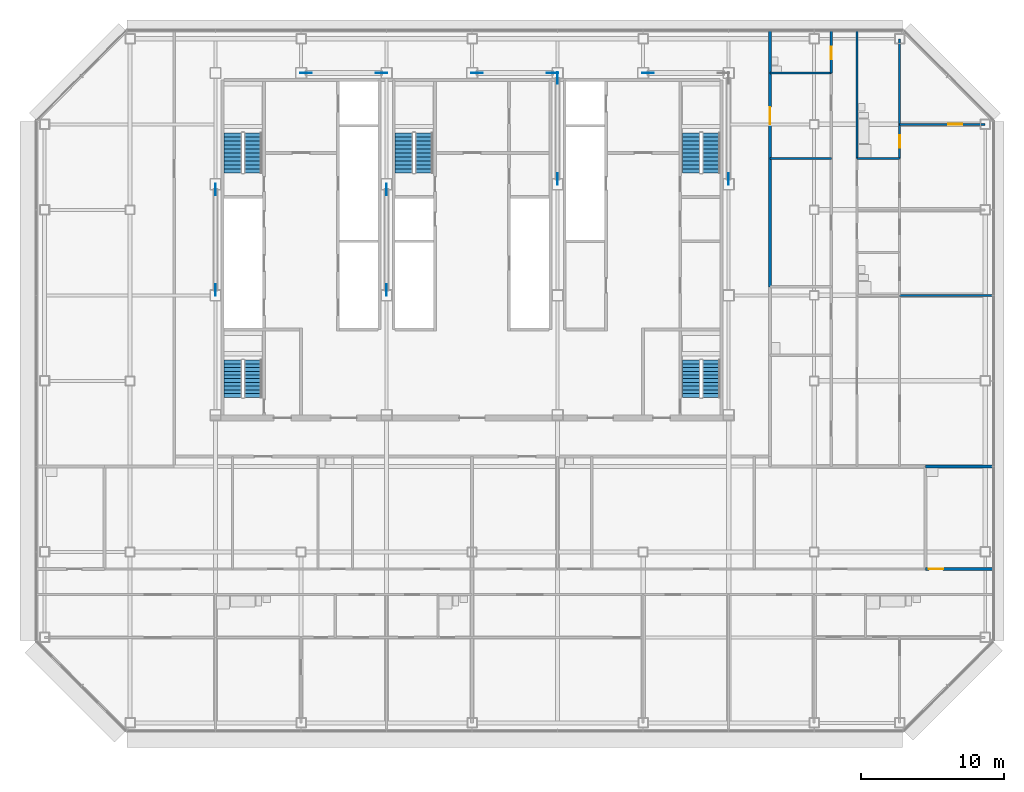
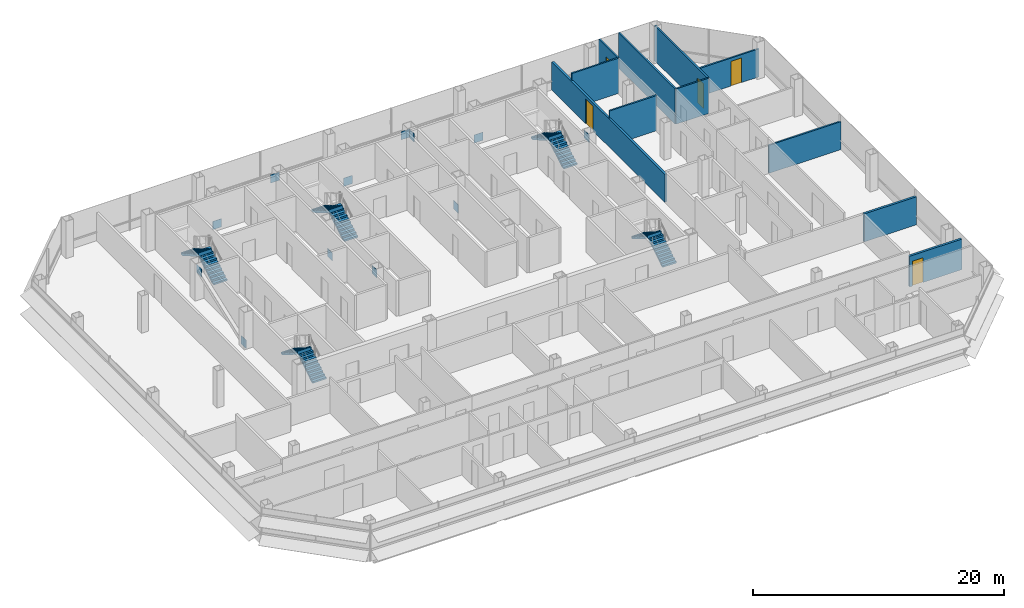
# One storey, part 23 of 26: 12 discrete accessories, 11 walls, 10 stair flights, 5 doors, 5 openings, 5 elements without a shape of their own.
"""IFC4 building model written with IfcOpenShell, lengths in metres."""

from ifc_helpers import new_model, si_unit, direction, frame, frame_2d, origin, origin_2d, place, context, subcontext, project, spatial, polyline, rectangle, outline, extrude, material, layer, layer_set, type_object, element, fill, aggregate, save


model = new_model("IFC4")

# Units and contexts
model_context = context("Model", 3, precision=1e-05, world=origin(), true_north=direction((0.0, 1.0)))
body_context = subcontext(model_context, "Body", "Model", "MODEL_VIEW")
ifc_project = project(units=[si_unit("LENGTHUNIT", "METRE"), si_unit("AREAUNIT", "SQUARE_METRE"), si_unit("VOLUMEUNIT", "CUBIC_METRE"), si_unit("PLANEANGLEUNIT", "RADIAN"), si_unit("MASSUNIT", "GRAM", prefix="KILO")], contexts=[model_context])

# Site, building, storey
site_placement = place(None, origin())
site = spatial("IfcSite", under=ifc_project, at=site_placement, CompositionType="ELEMENT")
building_placement = place(site_placement, origin())
building = spatial("IfcBuilding", under=site, at=building_placement, Name="Sorahane Residences", CompositionType="ELEMENT")
storey_placement = place(building_placement, frame((0.0, 0.0, 151.0)))
storey = spatial("IfcBuildingStorey", under=building, at=storey_placement, Name="L34", CompositionType="ELEMENT", Elevation=151.0)

# Wall, opening, door
ifc_material_1 = material(Name="Concrete blockwork C20 wall", Category="masonry")
ifc_layer_1 = layer(ifc_material_1, 0.199951171875)
ifc_layer_set_1 = layer_set([ifc_layer_1], Name="Corridor wall 200 EI 120")
wall_type_1 = type_object("IfcWallType", Name="Corridor wall 200 EI 120", PredefinedType="SOLIDWALL", material=ifc_layer_set_1)
wall_1_placement = place(storey_placement, frame((44.89990234375, 30.60009765625, 0.0), z_axis=(0.0, 0.0, 1.0), x_axis=(0.0, 1.0, 0.0)))
wall_1 = element("IfcWall", 1, at=wall_1_placement, inside=storey, type_object=wall_type_1, Name="L34 corridor wall", PredefinedType="SOLIDWALL", context=body_context, shape_type="SweptSolid", body=[
    extrude(rectangle(XDim=18.0, YDim=0.199951171875, at=frame_2d((9.0, 0.0))), origin(), (0.0, 0.0, 1.0), 2.719970703125),
])
opening_1_placement = place(wall_1_placement, frame((11.39990234375, 0.0, 0.0)))
opening_1 = element("IfcOpeningElement", 2, at=opening_1_placement, cuts=wall_1, Name="Opening L34-44", PredefinedType="OPENING", context=body_context, shape_type="SweptSolid", body=[
    extrude(rectangle(XDim=1.199951171875, YDim=2.39990234375, at=frame_2d((0.60009765625, 1.199951171875))), frame((0.0, 0.10986328125, 0.0), z_axis=(0.0, -1.0, 0.0), x_axis=(1.0, 0.0, 0.0)), (0.0, 0.0, 1.0), 0.219970703125),
])
ifc_material_2 = material(Name="Timber veneered fire door", Category="wood")
door_type_1 = type_object("IfcDoorType", Name="Flat entrance door 1200x2400 FD60", OperationType="NOTDEFINED", PredefinedType="DOOR", material=ifc_material_2)
door_1_placement = place(opening_1_placement, frame((1.199951171875, 0.0, 0.0), z_axis=(0.0, 0.0, 1.0), x_axis=(-1.0, 0.0, 0.0)))
door_1 = element("IfcDoor", 3, at=door_1_placement, inside=storey, type_object=door_type_1, Name="Flat entrance door L34-44", OperationType="SINGLE_SWING_LEFT", OverallHeight=2.39990234375, OverallWidth=1.199951171875, PredefinedType="DOOR", context=body_context, shape_type="SweptSolid", body=[
    extrude(rectangle(XDim=1.199951171875, YDim=2.39990234375, at=frame_2d((0.60009765625, 1.199951171875))), frame((0.0, 0.02490234375, 0.0), z_axis=(0.0, -1.0, 0.0), x_axis=(1.0, 0.0, 0.0)), (0.0, 0.0, 1.0), 0.050048828125),
])
fill(opening_1, door_1)

ifc_material_3 = material(Name="Concrete blockwork C20 wall", Category="masonry")
ifc_layer_2 = layer(ifc_material_3, 0.199951171875)
ifc_layer_set_2 = layer_set([ifc_layer_2], Name="Kitchen wall 200 EI 180")
wall_type_2 = type_object("IfcWallType", Name="Kitchen wall 200 EI 180", PredefinedType="SOLIDWALL", material=ifc_layer_set_2)
wall_2_placement = place(storey_placement, frame((55.800048828125, 10.800048828125, 0.0), z_axis=(0.0, 0.0, 1.0), x_axis=(1.0, 0.0, 0.0)))
wall_2 = element("IfcWall", 4, at=wall_2_placement, inside=storey, type_object=wall_type_2, Name="L34 kitchen wall", PredefinedType="SOLIDWALL", context=body_context, shape_type="SweptSolid", body=[
    extrude(rectangle(XDim=4.800048828125, YDim=0.199951171875, at=frame_2d((2.39990234375, 0.0))), origin(), (0.0, 0.0, 1.0), 2.969970703125),
])
opening_2_placement = place(wall_2_placement, frame((0.25, 0.0, 0.0)))
opening_2 = element("IfcOpeningElement", 5, at=opening_2_placement, cuts=wall_2, Name="Opening L34-19", PredefinedType="OPENING", context=body_context, shape_type="SweptSolid", body=[
    extrude(rectangle(XDim=1.0, YDim=2.39990234375, at=frame_2d((0.5, 1.199951171875))), frame((0.0, 0.10986328125, 0.0), z_axis=(0.0, -1.0, 0.0), x_axis=(1.0, 0.0, 0.0)), (0.0, 0.0, 1.0), 0.219970703125),
])
ifc_material_4 = material(Name="Steel", Category="steel")
door_type_2 = type_object("IfcDoorType", Name="Kitchen door 1000x2400 FD120", OperationType="NOTDEFINED", PredefinedType="DOOR", material=ifc_material_4)
door_2_placement = place(opening_2_placement, origin())
door_2 = element("IfcDoor", 6, at=door_2_placement, inside=storey, type_object=door_type_2, Name="Kitchen door L34-19", OperationType="SINGLE_SWING_RIGHT", OverallHeight=2.39990234375, OverallWidth=1.0, PredefinedType="DOOR", context=body_context, shape_type="SweptSolid", body=[
    extrude(rectangle(XDim=1.0, YDim=2.39990234375, at=frame_2d((0.5, 1.199951171875))), frame((0.0, 0.02490234375, 0.0), z_axis=(0.0, -1.0, 0.0), x_axis=(1.0, 0.0, 0.0)), (0.0, 0.0, 1.0), 0.050048828125),
])
fill(opening_2, door_2)

# Walls
wall_3_placement = place(storey_placement, frame((55.800048828125, 18.0, 0.0), z_axis=(0.0, 0.0, 1.0), x_axis=(1.0, 0.0, 0.0)))
element("IfcWall", 7, at=wall_3_placement, inside=storey, type_object=wall_type_2, Name="L34 kitchen wall", PredefinedType="SOLIDWALL", context=body_context, shape_type="SweptSolid", body=[
    extrude(rectangle(XDim=4.800048828125, YDim=0.199951171875, at=frame_2d((2.39990234375, 0.0))), origin(), (0.0, 0.0, 1.0), 2.719970703125),
])
ifc_material_5 = material(Name="Gypsum board partition on steel studs", Category="steel")
ifc_layer_3 = layer(ifc_material_5, 0.14990234375)
ifc_layer_set_3 = layer_set([ifc_layer_3], Name="Partition 150 EI 90")
wall_type_3 = type_object("IfcWallType", Name="Partition 150 EI 90", PredefinedType="PARTITIONING", material=ifc_layer_set_3)
wall_4_placement = place(storey_placement, frame((54.0, 30.0, 0.0), z_axis=(0.0, 0.0, 1.0), x_axis=(1.0, 0.0, 0.0)))
element("IfcWall", 8, at=wall_4_placement, inside=storey, type_object=wall_type_3, Name="L34 partition", PredefinedType="PARTITIONING", context=body_context, shape_type="SweptSolid", body=[
    extrude(rectangle(XDim=6.60009765625, YDim=0.14990234375, at=frame_2d((3.300048828125, 0.0))), origin(), (0.0, 0.0, 1.0), 2.719970703125),
])
wall_5_placement = place(storey_placement, frame((44.89990234375, 39.60009765625, 0.0), z_axis=(0.0, 0.0, 1.0), x_axis=(1.0, 0.0, 0.0)))
element("IfcWall", 9, at=wall_5_placement, inside=storey, type_object=wall_type_3, Name="L34 partition", PredefinedType="PARTITIONING", context=body_context, shape_type="SweptSolid", body=[
    extrude(rectangle(XDim=4.300048828125, YDim=0.14990234375, at=frame_2d((2.14990234375, 0.0))), origin(), (0.0, 0.0, 1.0), 3.419921875),
])

# Wall, opening, door
wall_6_placement = place(storey_placement, frame((54.0, 42.0, 0.0), z_axis=(0.0, 0.0, 1.0), x_axis=(1.0, 0.0, 0.0)))
wall_6 = element("IfcWall", 10, at=wall_6_placement, inside=storey, type_object=wall_type_3, Name="L34 partition", PredefinedType="PARTITIONING", context=body_context, shape_type="SweptSolid", body=[
    extrude(rectangle(XDim=6.0, YDim=0.14990234375, at=frame_2d((3.0, 0.0))), origin(), (0.0, 0.0, 1.0), 2.719970703125),
])
opening_3_placement = place(wall_6_placement, frame((3.39990234375, 0.0, 0.0)))
opening_3 = element("IfcOpeningElement", 11, at=opening_3_placement, cuts=wall_6, Name="Opening L34-40", PredefinedType="OPENING", context=body_context, shape_type="SweptSolid", body=[
    extrude(rectangle(XDim=1.0, YDim=2.39990234375, at=frame_2d((0.5, 1.199951171875))), frame((0.0, 0.0849609375, 0.0), z_axis=(0.0, -1.0, 0.0), x_axis=(1.0, 0.0, 0.0)), (0.0, 0.0, 1.0), 0.169921875),
])
ifc_material_6 = material(Name="Timber veneered fire door", Category="wood")
door_type_3 = type_object("IfcDoorType", Name="Room door 1000x2400 FD30", OperationType="NOTDEFINED", PredefinedType="DOOR", material=ifc_material_6)
door_3_placement = place(opening_3_placement, origin())
door_3 = element("IfcDoor", 12, at=door_3_placement, inside=storey, type_object=door_type_3, Name="Room door L34-40", OperationType="SINGLE_SWING_LEFT", OverallHeight=2.39990234375, OverallWidth=1.0, PredefinedType="DOOR", context=body_context, shape_type="SweptSolid", body=[
    extrude(rectangle(XDim=1.0, YDim=2.39990234375, at=frame_2d((0.5, 1.199951171875))), frame((0.0, 0.02490234375, 0.0), z_axis=(0.0, -1.0, 0.0), x_axis=(1.0, 0.0, 0.0)), (0.0, 0.0, 1.0), 0.050048828125),
])
fill(opening_3, door_3)

ifc_material_7 = material(Name="Gypsum board partition on steel studs", Category="steel")
ifc_layer_4 = layer(ifc_material_7, 0.14990234375)
ifc_layer_set_4 = layer_set([ifc_layer_4], Name="Wet wall 150 EI 90")
wall_type_4 = type_object("IfcWallType", Name="Wet wall 150 EI 90", PredefinedType="PARTITIONING", material=ifc_layer_set_4)
wall_7_placement = place(storey_placement, frame((49.199951171875, 45.60009765625, 0.0), z_axis=(0.0, 0.0, 1.0), x_axis=(0.0, 1.0, 0.0)))
wall_7 = element("IfcWall", 13, at=wall_7_placement, inside=storey, type_object=wall_type_4, Name="L34 wet wall", PredefinedType="PARTITIONING", context=body_context, shape_type="SweptSolid", body=[
    extrude(rectangle(XDim=3.0, YDim=0.14990234375, at=frame_2d((1.5, 0.0))), origin(), (0.0, 0.0, 1.0), 3.419921875),
])
opening_4_placement = place(wall_7_placement, frame((0.949951171875, 0.0, 0.0)))
opening_4 = element("IfcOpeningElement", 14, at=opening_4_placement, cuts=wall_7, Name="Opening L34-32", PredefinedType="OPENING", context=body_context, shape_type="SweptSolid", body=[
    extrude(rectangle(XDim=0.89990234375, YDim=2.39990234375, at=frame_2d((0.449951171875, 1.199951171875))), frame((0.0, 0.0849609375, 0.0), z_axis=(0.0, -1.0, 0.0), x_axis=(1.0, 0.0, 0.0)), (0.0, 0.0, 1.0), 0.169921875),
])
ifc_material_8 = material(Name="Timber veneered fire door", Category="wood")
door_type_4 = type_object("IfcDoorType", Name="Bathroom door 900x2400 FD30", OperationType="NOTDEFINED", PredefinedType="DOOR", material=ifc_material_8)
door_4_placement = place(opening_4_placement, frame((0.89990234375, 0.0, 0.0), z_axis=(0.0, 0.0, 1.0), x_axis=(-1.0, 0.0, 0.0)))
door_4 = element("IfcDoor", 15, at=door_4_placement, inside=storey, type_object=door_type_4, Name="Bathroom door L34-32", OperationType="SINGLE_SWING_LEFT", OverallHeight=2.39990234375, OverallWidth=0.89990234375, PredefinedType="DOOR", context=body_context, shape_type="SweptSolid", body=[
    extrude(rectangle(XDim=0.89990234375, YDim=2.39990234375, at=frame_2d((0.449951171875, 1.199951171875))), frame((0.0, 0.02490234375, 0.0), z_axis=(0.0, -1.0, 0.0), x_axis=(1.0, 0.0, 0.0)), (0.0, 0.0, 1.0), 0.050048828125),
])
fill(opening_4, door_4)

# Wall
wall_8_placement = place(storey_placement, frame((51.0, 39.60009765625, 0.0), z_axis=(0.0, 0.0, 1.0), x_axis=(0.0, 1.0, 0.0)))
element("IfcWall", 16, at=wall_8_placement, inside=storey, type_object=wall_type_4, Name="L34 wet wall", PredefinedType="PARTITIONING", context=body_context, shape_type="SweptSolid", body=[
    extrude(rectangle(XDim=9.0, YDim=0.14990234375, at=frame_2d((4.5, 0.0))), origin(), (0.0, 0.0, 1.0), 3.419921875),
])

# Wall, opening, door
wall_9_placement = place(storey_placement, frame((54.0, 39.60009765625, 0.0), z_axis=(0.0, 0.0, 1.0), x_axis=(0.0, 1.0, 0.0)))
wall_9 = element("IfcWall", 17, at=wall_9_placement, inside=storey, type_object=wall_type_4, Name="L34 wet wall", PredefinedType="PARTITIONING", context=body_context, shape_type="SweptSolid", body=[
    extrude(rectangle(XDim=8.39990234375, YDim=0.14990234375, at=frame_2d((4.199951171875, 0.0))), origin(), (0.0, 0.0, 1.0), 3.419921875),
])
opening_5_placement = place(wall_9_placement, frame((0.75, 0.0, 0.0)))
opening_5 = element("IfcOpeningElement", 18, at=opening_5_placement, cuts=wall_9, Name="Opening L34-41", PredefinedType="OPENING", context=body_context, shape_type="SweptSolid", body=[
    extrude(rectangle(XDim=0.89990234375, YDim=2.39990234375, at=frame_2d((0.449951171875, 1.199951171875))), frame((0.0, 0.0849609375, 0.0), z_axis=(0.0, -1.0, 0.0), x_axis=(1.0, 0.0, 0.0)), (0.0, 0.0, 1.0), 0.169921875),
])
door_5_placement = place(opening_5_placement, frame((0.89990234375, 0.0, 0.0), z_axis=(0.0, 0.0, 1.0), x_axis=(-1.0, 0.0, 0.0)))
door_5 = element("IfcDoor", 19, at=door_5_placement, inside=storey, type_object=door_type_4, Name="Bathroom door L34-41", OperationType="SINGLE_SWING_RIGHT", OverallHeight=2.39990234375, OverallWidth=0.89990234375, PredefinedType="DOOR", context=body_context, shape_type="SweptSolid", body=[
    extrude(rectangle(XDim=0.89990234375, YDim=2.39990234375, at=frame_2d((0.449951171875, 1.199951171875))), frame((0.0, 0.02490234375, 0.0), z_axis=(0.0, -1.0, 0.0), x_axis=(1.0, 0.0, 0.0)), (0.0, 0.0, 1.0), 0.050048828125),
])
fill(opening_5, door_5)

# Walls
wall_10_placement = place(storey_placement, frame((51.0, 39.60009765625, 0.0), z_axis=(0.0, 0.0, 1.0), x_axis=(1.0, 0.0, 0.0)))
element("IfcWall", 20, at=wall_10_placement, inside=storey, type_object=wall_type_4, Name="L34 wet wall", PredefinedType="PARTITIONING", context=body_context, shape_type="SweptSolid", body=[
    extrude(rectangle(XDim=3.0, YDim=0.14990234375, at=frame_2d((1.5, 0.0))), origin(), (0.0, 0.0, 1.0), 3.419921875),
])
wall_11_placement = place(storey_placement, frame((44.89990234375, 45.60009765625, 0.0), z_axis=(0.0, 0.0, 1.0), x_axis=(1.0, 0.0, 0.0)))
element("IfcWall", 21, at=wall_11_placement, inside=storey, type_object=wall_type_4, Name="L34 wet wall", PredefinedType="PARTITIONING", context=body_context, shape_type="SweptSolid", body=[
    extrude(rectangle(XDim=4.300048828125, YDim=0.14990234375, at=frame_2d((2.14990234375, 0.0))), origin(), (0.0, 0.0, 1.0), 3.419921875),
])

# Stair, stair flights
ifc_material_9 = material(Name="Concrete C40", Category="concrete")
stair_type = type_object("IfcStairType", Name="Dog-leg stair 1250 Concrete C40", PredefinedType="HALF_TURN_STAIR", material=ifc_material_9)
stair_1_placement = place(storey_placement, origin())
stair_1 = element("IfcStair", 22, at=stair_1_placement, inside=storey, type_object=stair_type, Name="L34 Stair S1", PredefinedType="HALF_TURN_STAIR")
ifc_material_10 = material(Name="Concrete C40", Category="concrete")
stair_flight_type = type_object("IfcStairFlightType", Name="Stair flight 1250 Concrete C40", PredefinedType="STRAIGHT", material=ifc_material_10)
stair_flight_1_placement = place(storey_placement, frame((8.625, 38.60009765625, 0.0), z_axis=(0.0, 0.0, 1.0), x_axis=(0.0, 1.0, 0.0)))
stair_flight_1 = element("IfcStairFlight", 23, at=stair_flight_1_placement, type_object=stair_flight_type, Name="S1 flight 1", NumberOfRisers=11, NumberOfTreads=10, PredefinedType="STRAIGHT", RiserHeight=0.163636364, TreadLength=0.28, context=body_context, shape_type="SweptSolid", body=[
    extrude(outline(polyline([(-0.00146484375, 0.0), (-0.00146484375, 0.16357421875), (0.0, 0.16357421875), (0.280029296875, 0.16357421875), (0.280029296875, 0.327392578125), (0.56005859375, 0.327392578125), (0.56005859375, 0.490966796875), (0.840087890625, 0.490966796875), (0.840087890625, 0.654541015625), (1.1201171875, 0.654541015625), (1.1201171875, 0.818115234375), (1.39990234375, 0.818115234375), (1.39990234375, 0.98193359375), (1.679931640625, 0.98193359375), (1.679931640625, 1.1455078125), (1.9599609375, 1.1455078125), (1.9599609375, 1.30908203125), (2.239990234375, 1.30908203125), (2.239990234375, 1.47265625), (2.52001953125, 1.47265625), (2.52001953125, 1.636474609375), (2.800048828125, 1.636474609375), (2.800048828125, 1.800048828125), (2.800048828125, 1.462646484375), (2.59130859375, 1.3408203125), (2.3828125, 1.218994140625), (2.17431640625, 1.09716796875), (1.965576171875, 0.97509765625), (1.757080078125, 0.853271484375), (1.548583984375, 0.7314453125), (1.340087890625, 0.609375), (1.13134765625, 0.487548828125), (0.9228515625, 0.36572265625), (0.71435546875, 0.243896484375), (0.505615234375, 0.121826171875), (0.297119140625, 0.0), (-0.00146484375, 0.0)])), frame((0.0, 0.625, 0.0), z_axis=(0.0, -1.0, 0.0), x_axis=(1.0, 0.0, 0.0)), (0.0, 0.0, 1.0), 1.25),
])
stair_flight_2_placement = place(storey_placement, frame((7.22509765625, 41.39990234375, 1.800048828125), z_axis=(0.0, 0.0, 1.0), x_axis=(0.0, -1.0, 0.0)))
stair_flight_2 = element("IfcStairFlight", 24, at=stair_flight_2_placement, type_object=stair_flight_type, Name="S1 flight 2", NumberOfRisers=11, NumberOfTreads=10, PredefinedType="STRAIGHT", RiserHeight=0.163636364, TreadLength=0.28, context=body_context, shape_type="SweptSolid", body=[
    extrude(outline(polyline([(0.0, 0.0), (0.0, 0.16357421875), (0.280029296875, 0.16357421875), (0.280029296875, 0.327392578125), (0.56005859375, 0.327392578125), (0.56005859375, 0.490966796875), (0.840087890625, 0.490966796875), (0.840087890625, 0.654541015625), (1.1201171875, 0.654541015625), (1.1201171875, 0.818115234375), (1.39990234375, 0.818115234375), (1.39990234375, 0.98193359375), (1.679931640625, 0.98193359375), (1.679931640625, 1.1455078125), (1.9599609375, 1.1455078125), (1.9599609375, 1.30908203125), (2.239990234375, 1.30908203125), (2.239990234375, 1.47265625), (2.52001953125, 1.47265625), (2.52001953125, 1.636474609375), (2.800048828125, 1.636474609375), (2.800048828125, 1.800048828125), (2.801513671875, 1.800048828125), (2.801513671875, 1.462646484375), (2.5927734375, 1.3408203125), (2.384033203125, 1.218994140625), (2.17529296875, 1.09716796875), (1.966796875, 0.97509765625), (1.758056640625, 0.853271484375), (1.54931640625, 0.7314453125), (1.340576171875, 0.609375), (1.1318359375, 0.487548828125), (0.923095703125, 0.36572265625), (0.714599609375, 0.243896484375), (0.505859375, 0.121826171875), (0.297119140625, 0.0), (0.0, 0.0)])), frame((0.0, 0.625, 0.0), z_axis=(0.0, -1.0, 0.0), x_axis=(1.0, 0.0, 0.0)), (0.0, 0.0, 1.0), 1.25),
])
aggregate(stair_1, [stair_flight_1, stair_flight_2])

stair_2_placement = place(storey_placement, origin())
stair_2 = element("IfcStair", 25, at=stair_2_placement, inside=storey, type_object=stair_type, Name="L34 Stair S2", PredefinedType="HALF_TURN_STAIR")
stair_flight_3_placement = place(storey_placement, frame((40.77490234375, 38.60009765625, 0.0), z_axis=(0.0, 0.0, 1.0), x_axis=(0.0, 1.0, 0.0)))
stair_flight_3 = element("IfcStairFlight", 26, at=stair_flight_3_placement, type_object=stair_flight_type, Name="S2 flight 1", NumberOfRisers=11, NumberOfTreads=10, PredefinedType="STRAIGHT", RiserHeight=0.163636364, TreadLength=0.28, context=body_context, shape_type="SweptSolid", body=[
    extrude(outline(polyline([(-0.00146484375, 0.0), (-0.00146484375, 0.16357421875), (0.0, 0.16357421875), (0.280029296875, 0.16357421875), (0.280029296875, 0.327392578125), (0.56005859375, 0.327392578125), (0.56005859375, 0.490966796875), (0.840087890625, 0.490966796875), (0.840087890625, 0.654541015625), (1.1201171875, 0.654541015625), (1.1201171875, 0.818115234375), (1.39990234375, 0.818115234375), (1.39990234375, 0.98193359375), (1.679931640625, 0.98193359375), (1.679931640625, 1.1455078125), (1.9599609375, 1.1455078125), (1.9599609375, 1.30908203125), (2.239990234375, 1.30908203125), (2.239990234375, 1.47265625), (2.52001953125, 1.47265625), (2.52001953125, 1.636474609375), (2.800048828125, 1.636474609375), (2.800048828125, 1.800048828125), (2.800048828125, 1.462646484375), (2.59130859375, 1.3408203125), (2.3828125, 1.218994140625), (2.17431640625, 1.09716796875), (1.965576171875, 0.97509765625), (1.757080078125, 0.853271484375), (1.548583984375, 0.7314453125), (1.340087890625, 0.609375), (1.13134765625, 0.487548828125), (0.9228515625, 0.36572265625), (0.71435546875, 0.243896484375), (0.505615234375, 0.121826171875), (0.297119140625, 0.0), (-0.00146484375, 0.0)])), frame((0.0, 0.625, 0.0), z_axis=(0.0, -1.0, 0.0), x_axis=(1.0, 0.0, 0.0)), (0.0, 0.0, 1.0), 1.25),
])
stair_flight_4_placement = place(storey_placement, frame((39.375, 41.39990234375, 1.800048828125), z_axis=(0.0, 0.0, 1.0), x_axis=(0.0, -1.0, 0.0)))
stair_flight_4 = element("IfcStairFlight", 27, at=stair_flight_4_placement, type_object=stair_flight_type, Name="S2 flight 2", NumberOfRisers=11, NumberOfTreads=10, PredefinedType="STRAIGHT", RiserHeight=0.163636364, TreadLength=0.28, context=body_context, shape_type="SweptSolid", body=[
    extrude(outline(polyline([(0.0, 0.0), (0.0, 0.16357421875), (0.280029296875, 0.16357421875), (0.280029296875, 0.327392578125), (0.56005859375, 0.327392578125), (0.56005859375, 0.490966796875), (0.840087890625, 0.490966796875), (0.840087890625, 0.654541015625), (1.1201171875, 0.654541015625), (1.1201171875, 0.818115234375), (1.39990234375, 0.818115234375), (1.39990234375, 0.98193359375), (1.679931640625, 0.98193359375), (1.679931640625, 1.1455078125), (1.9599609375, 1.1455078125), (1.9599609375, 1.30908203125), (2.239990234375, 1.30908203125), (2.239990234375, 1.47265625), (2.52001953125, 1.47265625), (2.52001953125, 1.636474609375), (2.800048828125, 1.636474609375), (2.800048828125, 1.800048828125), (2.801513671875, 1.800048828125), (2.801513671875, 1.462646484375), (2.5927734375, 1.3408203125), (2.384033203125, 1.218994140625), (2.17529296875, 1.09716796875), (1.966796875, 0.97509765625), (1.758056640625, 0.853271484375), (1.54931640625, 0.7314453125), (1.340576171875, 0.609375), (1.1318359375, 0.487548828125), (0.923095703125, 0.36572265625), (0.714599609375, 0.243896484375), (0.505859375, 0.121826171875), (0.297119140625, 0.0), (0.0, 0.0)])), frame((0.0, 0.625, 0.0), z_axis=(0.0, -1.0, 0.0), x_axis=(1.0, 0.0, 0.0)), (0.0, 0.0, 1.0), 1.25),
])
aggregate(stair_2, [stair_flight_3, stair_flight_4])

stair_3_placement = place(storey_placement, origin())
stair_3 = element("IfcStair", 28, at=stair_3_placement, inside=storey, type_object=stair_type, Name="L34 Stair S3", PredefinedType="HALF_TURN_STAIR")
stair_flight_5_placement = place(storey_placement, frame((20.625, 38.60009765625, 0.0), z_axis=(0.0, 0.0, 1.0), x_axis=(0.0, 1.0, 0.0)))
stair_flight_5 = element("IfcStairFlight", 29, at=stair_flight_5_placement, type_object=stair_flight_type, Name="S3 flight 1", NumberOfRisers=11, NumberOfTreads=10, PredefinedType="STRAIGHT", RiserHeight=0.163636364, TreadLength=0.28, context=body_context, shape_type="SweptSolid", body=[
    extrude(outline(polyline([(-0.00146484375, 0.0), (-0.00146484375, 0.16357421875), (0.0, 0.16357421875), (0.280029296875, 0.16357421875), (0.280029296875, 0.327392578125), (0.56005859375, 0.327392578125), (0.56005859375, 0.490966796875), (0.840087890625, 0.490966796875), (0.840087890625, 0.654541015625), (1.1201171875, 0.654541015625), (1.1201171875, 0.818115234375), (1.39990234375, 0.818115234375), (1.39990234375, 0.98193359375), (1.679931640625, 0.98193359375), (1.679931640625, 1.1455078125), (1.9599609375, 1.1455078125), (1.9599609375, 1.30908203125), (2.239990234375, 1.30908203125), (2.239990234375, 1.47265625), (2.52001953125, 1.47265625), (2.52001953125, 1.636474609375), (2.800048828125, 1.636474609375), (2.800048828125, 1.800048828125), (2.800048828125, 1.462646484375), (2.59130859375, 1.3408203125), (2.3828125, 1.218994140625), (2.17431640625, 1.09716796875), (1.965576171875, 0.97509765625), (1.757080078125, 0.853271484375), (1.548583984375, 0.7314453125), (1.340087890625, 0.609375), (1.13134765625, 0.487548828125), (0.9228515625, 0.36572265625), (0.71435546875, 0.243896484375), (0.505615234375, 0.121826171875), (0.297119140625, 0.0), (-0.00146484375, 0.0)])), frame((0.0, 0.625, 0.0), z_axis=(0.0, -1.0, 0.0), x_axis=(1.0, 0.0, 0.0)), (0.0, 0.0, 1.0), 1.25),
])
stair_flight_6_placement = place(storey_placement, frame((19.22509765625, 41.39990234375, 1.800048828125), z_axis=(0.0, 0.0, 1.0), x_axis=(0.0, -1.0, 0.0)))
stair_flight_6 = element("IfcStairFlight", 30, at=stair_flight_6_placement, type_object=stair_flight_type, Name="S3 flight 2", NumberOfRisers=11, NumberOfTreads=10, PredefinedType="STRAIGHT", RiserHeight=0.163636364, TreadLength=0.28, context=body_context, shape_type="SweptSolid", body=[
    extrude(outline(polyline([(0.0, 0.0), (0.0, 0.16357421875), (0.280029296875, 0.16357421875), (0.280029296875, 0.327392578125), (0.56005859375, 0.327392578125), (0.56005859375, 0.490966796875), (0.840087890625, 0.490966796875), (0.840087890625, 0.654541015625), (1.1201171875, 0.654541015625), (1.1201171875, 0.818115234375), (1.39990234375, 0.818115234375), (1.39990234375, 0.98193359375), (1.679931640625, 0.98193359375), (1.679931640625, 1.1455078125), (1.9599609375, 1.1455078125), (1.9599609375, 1.30908203125), (2.239990234375, 1.30908203125), (2.239990234375, 1.47265625), (2.52001953125, 1.47265625), (2.52001953125, 1.636474609375), (2.800048828125, 1.636474609375), (2.800048828125, 1.800048828125), (2.801513671875, 1.800048828125), (2.801513671875, 1.462646484375), (2.5927734375, 1.3408203125), (2.384033203125, 1.218994140625), (2.17529296875, 1.09716796875), (1.966796875, 0.97509765625), (1.758056640625, 0.853271484375), (1.54931640625, 0.7314453125), (1.340576171875, 0.609375), (1.1318359375, 0.487548828125), (0.923095703125, 0.36572265625), (0.714599609375, 0.243896484375), (0.505859375, 0.121826171875), (0.297119140625, 0.0), (0.0, 0.0)])), frame((0.0, 0.625, 0.0), z_axis=(0.0, -1.0, 0.0), x_axis=(1.0, 0.0, 0.0)), (0.0, 0.0, 1.0), 1.25),
])
aggregate(stair_3, [stair_flight_5, stair_flight_6])

stair_4_placement = place(storey_placement, origin())
stair_4 = element("IfcStair", 31, at=stair_4_placement, inside=storey, type_object=stair_type, Name="L34 Stair S4", PredefinedType="HALF_TURN_STAIR")
stair_flight_7_placement = place(storey_placement, frame((8.625, 22.85009765625, 0.0), z_axis=(0.0, 0.0, 1.0), x_axis=(0.0, 1.0, 0.0)))
stair_flight_7 = element("IfcStairFlight", 32, at=stair_flight_7_placement, type_object=stair_flight_type, Name="S4 flight 1", NumberOfRisers=11, NumberOfTreads=10, PredefinedType="STRAIGHT", RiserHeight=0.163636364, TreadLength=0.26, context=body_context, shape_type="SweptSolid", body=[
    extrude(outline(polyline([(-0.00146484375, 0.0), (-0.00146484375, 0.16357421875), (0.0, 0.16357421875), (0.260009765625, 0.16357421875), (0.260009765625, 0.327392578125), (0.52001953125, 0.327392578125), (0.52001953125, 0.490966796875), (0.780029296875, 0.490966796875), (0.780029296875, 0.654541015625), (1.0400390625, 0.654541015625), (1.0400390625, 0.818115234375), (1.300048828125, 0.818115234375), (1.300048828125, 0.98193359375), (1.56005859375, 0.98193359375), (1.56005859375, 1.1455078125), (1.820068359375, 1.1455078125), (1.820068359375, 1.30908203125), (2.080078125, 1.30908203125), (2.080078125, 1.47265625), (2.340087890625, 1.47265625), (2.340087890625, 1.636474609375), (2.60009765625, 1.636474609375), (2.60009765625, 1.800048828125), (2.60009765625, 1.494384765625), (2.402099609375, 1.369873046875), (2.204345703125, 1.245361328125), (2.00634765625, 1.120849609375), (1.80859375, 0.996337890625), (1.610595703125, 0.871826171875), (1.412841796875, 0.747314453125), (1.21484375, 0.622802734375), (1.01708984375, 0.498046875), (0.819091796875, 0.37353515625), (0.621337890625, 0.2490234375), (0.42333984375, 0.12451171875), (0.2255859375, 0.0), (-0.00146484375, 0.0)])), frame((0.0, 0.625, 0.0), z_axis=(0.0, -1.0, 0.0), x_axis=(1.0, 0.0, 0.0)), (0.0, 0.0, 1.0), 1.25),
])
stair_flight_8_placement = place(storey_placement, frame((7.22509765625, 25.449951171875, 1.800048828125), z_axis=(0.0, 0.0, 1.0), x_axis=(0.0, -1.0, 0.0)))
stair_flight_8 = element("IfcStairFlight", 33, at=stair_flight_8_placement, type_object=stair_flight_type, Name="S4 flight 2", NumberOfRisers=11, NumberOfTreads=10, PredefinedType="STRAIGHT", RiserHeight=0.163636364, TreadLength=0.26, context=body_context, shape_type="SweptSolid", body=[
    extrude(outline(polyline([(0.0, 0.0), (0.0, 0.16357421875), (0.260009765625, 0.16357421875), (0.260009765625, 0.327392578125), (0.52001953125, 0.327392578125), (0.52001953125, 0.490966796875), (0.780029296875, 0.490966796875), (0.780029296875, 0.654541015625), (1.0400390625, 0.654541015625), (1.0400390625, 0.818115234375), (1.300048828125, 0.818115234375), (1.300048828125, 0.98193359375), (1.56005859375, 0.98193359375), (1.56005859375, 1.1455078125), (1.820068359375, 1.1455078125), (1.820068359375, 1.30908203125), (2.080078125, 1.30908203125), (2.080078125, 1.47265625), (2.340087890625, 1.47265625), (2.340087890625, 1.636474609375), (2.60009765625, 1.636474609375), (2.60009765625, 1.800048828125), (2.6015625, 1.800048828125), (2.6015625, 1.494384765625), (2.403564453125, 1.369873046875), (2.20556640625, 1.245361328125), (2.007568359375, 1.120849609375), (1.8095703125, 0.996337890625), (1.611572265625, 0.871826171875), (1.41357421875, 0.747314453125), (1.215576171875, 0.622802734375), (1.017578125, 0.498046875), (0.819580078125, 0.37353515625), (0.62158203125, 0.2490234375), (0.423583984375, 0.12451171875), (0.2255859375, 0.0), (0.0, 0.0)])), frame((0.0, 0.625, 0.0), z_axis=(0.0, -1.0, 0.0), x_axis=(1.0, 0.0, 0.0)), (0.0, 0.0, 1.0), 1.25),
])
aggregate(stair_4, [stair_flight_7, stair_flight_8])

stair_5_placement = place(storey_placement, origin())
stair_5 = element("IfcStair", 34, at=stair_5_placement, inside=storey, type_object=stair_type, Name="L34 Stair S5", PredefinedType="HALF_TURN_STAIR")
stair_flight_9_placement = place(storey_placement, frame((40.77490234375, 22.85009765625, 0.0), z_axis=(0.0, 0.0, 1.0), x_axis=(0.0, 1.0, 0.0)))
stair_flight_9 = element("IfcStairFlight", 35, at=stair_flight_9_placement, type_object=stair_flight_type, Name="S5 flight 1", NumberOfRisers=11, NumberOfTreads=10, PredefinedType="STRAIGHT", RiserHeight=0.163636364, TreadLength=0.26, context=body_context, shape_type="SweptSolid", body=[
    extrude(outline(polyline([(-0.00146484375, 0.0), (-0.00146484375, 0.16357421875), (0.0, 0.16357421875), (0.260009765625, 0.16357421875), (0.260009765625, 0.327392578125), (0.52001953125, 0.327392578125), (0.52001953125, 0.490966796875), (0.780029296875, 0.490966796875), (0.780029296875, 0.654541015625), (1.0400390625, 0.654541015625), (1.0400390625, 0.818115234375), (1.300048828125, 0.818115234375), (1.300048828125, 0.98193359375), (1.56005859375, 0.98193359375), (1.56005859375, 1.1455078125), (1.820068359375, 1.1455078125), (1.820068359375, 1.30908203125), (2.080078125, 1.30908203125), (2.080078125, 1.47265625), (2.340087890625, 1.47265625), (2.340087890625, 1.636474609375), (2.60009765625, 1.636474609375), (2.60009765625, 1.800048828125), (2.60009765625, 1.494384765625), (2.402099609375, 1.369873046875), (2.204345703125, 1.245361328125), (2.00634765625, 1.120849609375), (1.80859375, 0.996337890625), (1.610595703125, 0.871826171875), (1.412841796875, 0.747314453125), (1.21484375, 0.622802734375), (1.01708984375, 0.498046875), (0.819091796875, 0.37353515625), (0.621337890625, 0.2490234375), (0.42333984375, 0.12451171875), (0.2255859375, 0.0), (-0.00146484375, 0.0)])), frame((0.0, 0.625, 0.0), z_axis=(0.0, -1.0, 0.0), x_axis=(1.0, 0.0, 0.0)), (0.0, 0.0, 1.0), 1.25),
])
stair_flight_10_placement = place(storey_placement, frame((39.375, 25.449951171875, 1.800048828125), z_axis=(0.0, 0.0, 1.0), x_axis=(0.0, -1.0, 0.0)))
stair_flight_10 = element("IfcStairFlight", 36, at=stair_flight_10_placement, type_object=stair_flight_type, Name="S5 flight 2", NumberOfRisers=11, NumberOfTreads=10, PredefinedType="STRAIGHT", RiserHeight=0.163636364, TreadLength=0.26, context=body_context, shape_type="SweptSolid", body=[
    extrude(outline(polyline([(0.0, 0.0), (0.0, 0.16357421875), (0.260009765625, 0.16357421875), (0.260009765625, 0.327392578125), (0.52001953125, 0.327392578125), (0.52001953125, 0.490966796875), (0.780029296875, 0.490966796875), (0.780029296875, 0.654541015625), (1.0400390625, 0.654541015625), (1.0400390625, 0.818115234375), (1.300048828125, 0.818115234375), (1.300048828125, 0.98193359375), (1.56005859375, 0.98193359375), (1.56005859375, 1.1455078125), (1.820068359375, 1.1455078125), (1.820068359375, 1.30908203125), (2.080078125, 1.30908203125), (2.080078125, 1.47265625), (2.340087890625, 1.47265625), (2.340087890625, 1.636474609375), (2.60009765625, 1.636474609375), (2.60009765625, 1.800048828125), (2.6015625, 1.800048828125), (2.6015625, 1.494384765625), (2.403564453125, 1.369873046875), (2.20556640625, 1.245361328125), (2.007568359375, 1.120849609375), (1.8095703125, 0.996337890625), (1.611572265625, 0.871826171875), (1.41357421875, 0.747314453125), (1.215576171875, 0.622802734375), (1.017578125, 0.498046875), (0.819580078125, 0.37353515625), (0.62158203125, 0.2490234375), (0.423583984375, 0.12451171875), (0.2255859375, 0.0), (0.0, 0.0)])), frame((0.0, 0.625, 0.0), z_axis=(0.0, -1.0, 0.0), x_axis=(1.0, 0.0, 0.0)), (0.0, 0.0, 1.0), 1.25),
])
aggregate(stair_5, [stair_flight_9, stair_flight_10])

# Discrete accessories
ifc_material_11 = material(Name="Steel Q355B", Category="steel")
ifc_layer_5 = layer(ifc_material_11, 0.02490234375)
ifc_layer_set_5 = layer_set([ifc_layer_5], Name="Node plate Steel Q355B 25")
discrete_accessory_type = type_object("IfcDiscreteAccessoryType", Name="Node plate Steel Q355B 25", PredefinedType="BRACKET", material=ifc_layer_set_5)
for number, where, z_axis, x_axis, name in (
    (37, (6.0, 30.36328125, -0.23876953125), (0.0, 0.0, 1.0), (0.0, 1.0, 0.0), "Node plate L34 br"),
    (38, (6.0, 37.436767578125, 2.40869140625), (0.0, 0.0, 1.0), (0.0, 1.0, 0.0), "Node plate L34 br"),
    (39, (18.0, 37.436767578125, -0.23876953125), (0.0, 0.0, 1.0), (0.0, 1.0, 0.0), "Node plate L34 br"),
    (40, (18.0, 30.36328125, 2.40869140625), (0.0, 0.0, 1.0), (0.0, 1.0, 0.0), "Node plate L34 br"),
    (41, (30.0, 38.1630859375, -0.23876953125), (0.0, 0.0, 1.0), (0.0, 1.0, 0.0), "Node plate L34 br"),
    (42, (30.0, 45.23681640625, 2.40869140625), (0.0, 0.0, 1.0), (0.0, 1.0, 0.0), "Node plate L34 br"),
    (43, (42.0, 38.1630859375, 2.40869140625), (0.0, 0.0, 1.0), (0.0, 1.0, 0.0), "Node plate L34 br"),
    (44, (12.352783203125, 45.60009765625, -0.2490234375), (0.0, 0.0, 1.0), (1.0, 0.0, 0.0), "Node plate L34 br"),
    (45, (24.352783203125, 45.60009765625, -0.2490234375), (0.0, 0.0, 1.0), (1.0, 0.0, 0.0), "Node plate L34 br"),
    (46, (36.352783203125, 45.60009765625, -0.2490234375), (0.0, 0.0, 1.0), (1.0, 0.0, 0.0), "Node plate L34 br"),
    (47, (17.647216796875, 45.60009765625, 2.4189453125), (0.0, 0.0, 1.0), (1.0, 0.0, 0.0), "Node plate L34 br"),
    (48, (29.647216796875, 45.60009765625, 2.4189453125), (0.0, 0.0, 1.0), (1.0, 0.0, 0.0), "Node plate L34 br"),
):
    element("IfcDiscreteAccessory", number, at=place(storey_placement, frame(where, z_axis=z_axis, x_axis=x_axis)), inside=storey, type_object=discrete_accessory_type, Name=name, PredefinedType="BRACKET", context=body_context, shape_type="SweptSolid", body=[
        extrude(rectangle(XDim=0.800048828125, YDim=0.02490234375, at=origin_2d()), origin(), (0.0, 0.0, 1.0), 0.800048828125),
    ])

save(model, "model.ifc")
